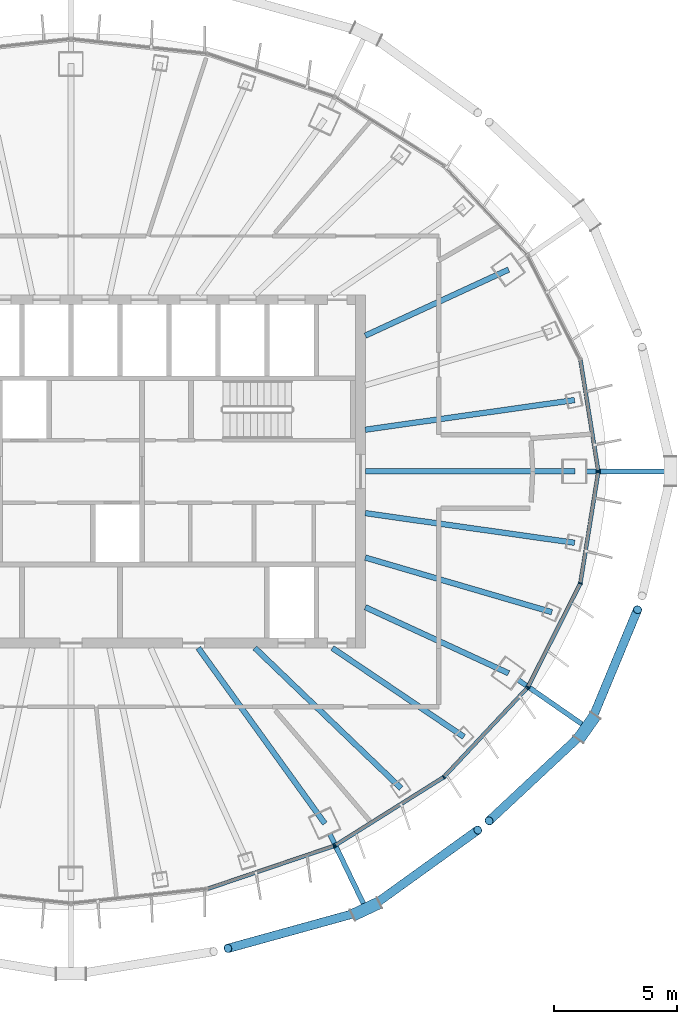
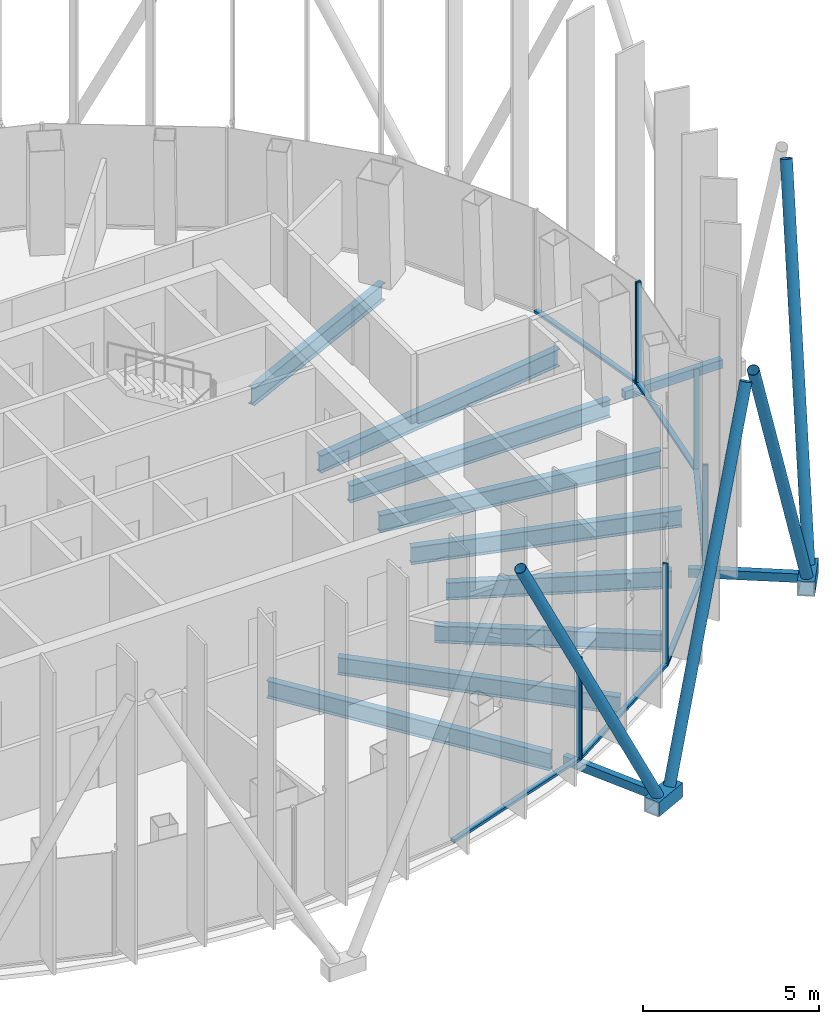
# One storey, part 5 of 20: 23 members, 9 beams, 4 elements without a shape of their own.
"""IFC4 building model written with IfcOpenShell, lengths in metres."""

from ifc_helpers import new_model, si_unit, direction, frame, origin, origin_2d, place, context, subcontext, project, spatial, rectangle, hollow_rectangle, hollow_circle, i_section, extrude, material, layer, layer_set, material_profile, profile_set, type_object, element, aggregate, save


model = new_model("IFC4")

# Units and contexts
model_context = context("Model", 3, precision=1e-05, world=origin(), true_north=direction((0.0, 1.0)))
body_context = subcontext(model_context, "Body", "Model", "MODEL_VIEW")
ifc_project = project(units=[si_unit("LENGTHUNIT", "METRE"), si_unit("AREAUNIT", "SQUARE_METRE"), si_unit("VOLUMEUNIT", "CUBIC_METRE"), si_unit("PLANEANGLEUNIT", "RADIAN"), si_unit("MASSUNIT", "GRAM", prefix="KILO")], contexts=[model_context])

# Site, building, storey
site_placement = place(None, origin())
site = spatial("IfcSite", under=ifc_project, at=site_placement, CompositionType="ELEMENT")
building_placement = place(site_placement, origin())
building = spatial("IfcBuilding", under=site, at=building_placement, Name="Siaravel Broadcast Tower", CompositionType="ELEMENT")
storey_placement = place(building_placement, frame((0.0, 0.0, 228.199951171875)))
storey = spatial("IfcBuildingStorey", under=building, at=storey_placement, Name="L55", CompositionType="ELEMENT", Elevation=228.199951171875)

# Beams
ifc_material_1 = material(Name="Steel S355", Category="steel")
ifc_material_profile_1 = material_profile(ifc_material_1, i_section(OverallWidth=0.2275390625, OverallDepth=0.6025390625, WebThickness=0.010498046875, FlangeThickness=0.014892578125, FilletRadius=0.0126953125, at=origin_2d()))
ifc_profile_set_1 = profile_set([ifc_material_profile_1], Name="Steel S355")
beam_type = type_object("IfcBeamType", Name="BM-UB 610x229x101", PredefinedType="BEAM", material=ifc_profile_set_1)
beam_1_placement = place(storey_placement, frame((20.544189453125, 0.0, -0.451171875), z_axis=(-1.0, 0.0, 0.0), x_axis=(0.0, -1.0, 0.0)))
element("IfcBeam", 1, at=beam_1_placement, inside=storey, type_object=beam_type, Name="Radial beam RB01", PredefinedType="BEAM", context=body_context, shape_type="SweptSolid", body=[
    extrude(i_section(OverallWidth=0.2275390625, OverallDepth=0.6025390625, WebThickness=0.010498046875, FlangeThickness=0.014892578125, FilletRadius=0.0126953125, at=origin_2d()), origin(), (0.0, 0.0, 1.0), 8.544189453125),
])
beam_2_placement = place(storey_placement, frame((20.533203125, 2.91015625, -0.451171875), z_axis=(-0.990104132, -0.140334627, 0.0), x_axis=(0.140334627, -0.990104132, 0.0)))
element("IfcBeam", 2, at=beam_2_placement, inside=storey, type_object=beam_type, Name="Radial beam RB02", PredefinedType="BEAM", context=body_context, shape_type="SweptSolid", body=[
    extrude(i_section(OverallWidth=0.2275390625, OverallDepth=0.6025390625, WebThickness=0.010498046875, FlangeThickness=0.014892578125, FilletRadius=0.0126953125, at=origin_2d()), origin(), (0.0, 0.0, 1.0), 8.618408203125),
])
beam_3_placement = place(storey_placement, frame((17.84521484375, 8.230712890625, -0.451171875), z_axis=(-0.908062594, -0.418834484, 0.0), x_axis=(0.418834484, -0.908062594, 0.0)))
element("IfcBeam", 3, at=beam_3_placement, inside=storey, type_object=beam_type, Name="Radial beam RB04", PredefinedType="BEAM", context=body_context, shape_type="SweptSolid", body=[
    extrude(i_section(OverallWidth=0.2275390625, OverallDepth=0.6025390625, WebThickness=0.010498046875, FlangeThickness=0.014892578125, FilletRadius=0.0126953125, at=origin_2d()), origin(), (0.0, 0.0, 1.0), 6.43701171875),
])
beam_4_placement = place(storey_placement, frame((10.351806640625, -14.359375, -0.451171875), z_axis=(-0.584778294, 0.811193163, 0.0), x_axis=(-0.811193163, -0.584778294, 0.0)))
element("IfcBeam", 4, at=beam_4_placement, inside=storey, type_object=beam_type, Name="Radial beam RB31", PredefinedType="BEAM", context=body_context, shape_type="SweptSolid", body=[
    extrude(i_section(OverallWidth=0.2275390625, OverallDepth=0.6025390625, WebThickness=0.010498046875, FlangeThickness=0.014892578125, FilletRadius=0.0126953125, at=origin_2d()), origin(), (0.0, 0.0, 1.0), 8.82568359375),
])
beam_5_placement = place(storey_placement, frame((13.45947265625, -12.921875, -0.451171875), z_axis=(-0.721365472, 0.692554587, 0.0), x_axis=(-0.692554587, -0.721365472, 0.0)))
element("IfcBeam", 5, at=beam_5_placement, inside=storey, type_object=beam_type, Name="Radial beam RB32", PredefinedType="BEAM", context=body_context, shape_type="SweptSolid", body=[
    extrude(i_section(OverallWidth=0.2275390625, OverallDepth=0.6025390625, WebThickness=0.010498046875, FlangeThickness=0.014892578125, FilletRadius=0.0126953125, at=origin_2d()), origin(), (0.0, 0.0, 1.0), 8.261962890625),
])
beam_6_placement = place(storey_placement, frame((16.021484375, -10.823486328125, -0.451171875), z_axis=(-0.828634362, 0.559790223, 0.0), x_axis=(-0.559790223, -0.828634362, 0.0)))
element("IfcBeam", 6, at=beam_6_placement, inside=storey, type_object=beam_type, Name="Radial beam RB33", PredefinedType="BEAM", context=body_context, shape_type="SweptSolid", body=[
    extrude(i_section(OverallWidth=0.2275390625, OverallDepth=0.6025390625, WebThickness=0.010498046875, FlangeThickness=0.014892578125, FilletRadius=0.0126953125, at=origin_2d()), origin(), (0.0, 0.0, 1.0), 6.47314453125),
])
beam_7_placement = place(storey_placement, frame((17.84521484375, -8.230712890625, -0.451171875), z_axis=(-0.908062594, 0.418834484, 0.0), x_axis=(-0.418834484, -0.908062594, 0.0)))
element("IfcBeam", 7, at=beam_7_placement, inside=storey, type_object=beam_type, Name="Radial beam RB34", PredefinedType="BEAM", context=body_context, shape_type="SweptSolid", body=[
    extrude(i_section(OverallWidth=0.2275390625, OverallDepth=0.6025390625, WebThickness=0.010498046875, FlangeThickness=0.014892578125, FilletRadius=0.0126953125, at=origin_2d()), origin(), (0.0, 0.0, 1.0), 6.43701171875),
])
beam_8_placement = place(storey_placement, frame((19.607666015625, -5.73876953125, -0.451171875), z_axis=(-0.959739837, 0.28089045, 0.0), x_axis=(-0.28089045, -0.959739837, 0.0)))
element("IfcBeam", 8, at=beam_8_placement, inside=storey, type_object=beam_type, Name="Radial beam RB35", PredefinedType="BEAM", context=body_context, shape_type="SweptSolid", body=[
    extrude(i_section(OverallWidth=0.2275390625, OverallDepth=0.6025390625, WebThickness=0.010498046875, FlangeThickness=0.014892578125, FilletRadius=0.0126953125, at=origin_2d()), origin(), (0.0, 0.0, 1.0), 7.9267578125),
])
beam_9_placement = place(storey_placement, frame((20.533203125, -2.91015625, -0.451171875), z_axis=(-0.990104132, 0.140334627, 0.0), x_axis=(-0.140334627, -0.990104132, 0.0)))
element("IfcBeam", 9, at=beam_9_placement, inside=storey, type_object=beam_type, Name="Radial beam RB36", PredefinedType="BEAM", context=body_context, shape_type="SweptSolid", body=[
    extrude(i_section(OverallWidth=0.2275390625, OverallDepth=0.6025390625, WebThickness=0.010498046875, FlangeThickness=0.014892578125, FilletRadius=0.0126953125, at=origin_2d()), origin(), (0.0, 0.0, 1.0), 8.618408203125),
])

# Curtain wall, member
ifc_material_2 = material(Name="Aluminium 6063-T6", Category="aluminium")
ifc_layer = layer(ifc_material_2, 0.159912109375)
ifc_layer_set = layer_set([ifc_layer], Name="Aluminium 6063-T6")
curtain_wall_type = type_object("IfcCurtainWallType", Name="Unitised curtain wall, zone 4", PredefinedType="NOTDEFINED", material=ifc_layer_set)
curtain_wall_1_placement = place(storey_placement, origin())
curtain_wall_1 = element("IfcCurtainWall", 10, at=curtain_wall_1_placement, inside=storey, type_object=curtain_wall_type, Name="L55 Unitised curtain wall, zone 4 01", PredefinedType="NOTDEFINED")
ifc_material_profile_2 = material_profile(ifc_material_2, rectangle(XDim=0.159912109375, YDim=0.054931640625, at=origin_2d()))
ifc_profile_set_2 = profile_set([ifc_material_profile_2], Name="Aluminium 6063-T6")
member_type_1 = type_object("IfcMemberType", Name="CW-Z4 mullion", PredefinedType="MULLION", material=ifc_profile_set_2)
member_1_placement = place(storey_placement, frame((21.49755859375, 0.027099609375, 0.0), z_axis=(0.0, 0.0, 1.0), x_axis=(-0.987329287, -0.158684841, 0.0)))
member_1 = element("IfcMember", 11, at=member_1_placement, type_object=member_type_1, Name="CW-Z4 mullion 1", PredefinedType="MULLION", context=body_context, shape_type="SweptSolid", body=[
    extrude(rectangle(XDim=0.159912109375, YDim=0.054931640625, at=origin_2d()), origin(), (0.0, 0.0, 1.0), 3.550048828125),
])

curtain_wall_2_placement = place(storey_placement, origin())
curtain_wall_2 = element("IfcCurtainWall", 12, at=curtain_wall_2_placement, inside=storey, type_object=curtain_wall_type, Name="L55 Unitised curtain wall, zone 4 10", PredefinedType="NOTDEFINED")
member_2_placement = place(storey_placement, frame((10.72119140625, -15.271484375, 0.0), z_axis=(0.0, 0.0, 1.0), x_axis=(-0.321301352, 0.946977002, 0.0)))
member_2 = element("IfcMember", 13, at=member_2_placement, type_object=member_type_1, Name="CW-Z4 mullion 3", PredefinedType="MULLION", context=body_context, shape_type="SweptSolid", body=[
    extrude(rectangle(XDim=0.159912109375, YDim=0.054931640625, at=origin_2d()), origin(), (0.0, 0.0, 1.0), 3.550048828125),
])

# Curtain wall, members
curtain_wall_3_placement = place(storey_placement, origin())
curtain_wall_3 = element("IfcCurtainWall", 14, at=curtain_wall_3_placement, inside=storey, type_object=curtain_wall_type, Name="L55 Unitised curtain wall, zone 4 11", PredefinedType="NOTDEFINED")
member_3_placement = place(storey_placement, frame((10.770751953125, -15.248046875, 0.0), z_axis=(0.0, 0.0, 1.0), x_axis=(-0.532150293, 0.846649907, 0.0)))
member_3 = element("IfcMember", 15, at=member_3_placement, type_object=member_type_1, Name="CW-Z4 mullion 1", PredefinedType="MULLION", context=body_context, shape_type="SweptSolid", body=[
    extrude(rectangle(XDim=0.159912109375, YDim=0.054931640625, at=origin_2d()), origin(), (0.0, 0.0, 1.0), 3.550048828125),
])
member_4_placement = place(storey_placement, frame((15.200439453125, -12.463623046875, 0.0), z_axis=(0.0, 0.0, 1.0), x_axis=(-0.636219746, 0.771507897, 0.0)))
member_4 = element("IfcMember", 16, at=member_4_placement, type_object=member_type_1, Name="CW-Z4 mullion 2", PredefinedType="MULLION", context=body_context, shape_type="SweptSolid", body=[
    extrude(rectangle(XDim=0.159912109375, YDim=0.054931640625, at=origin_2d()), origin(), (0.0, 0.0, 1.0), 3.550048828125),
])
member_5_placement = place(storey_placement, frame((18.60009765625, -8.834716796875, 0.0), z_axis=(0.0, 0.0, 1.0), x_axis=(-0.72980635, 0.683653927, 0.0)))
member_5 = element("IfcMember", 17, at=member_5_placement, type_object=member_type_1, Name="CW-Z4 mullion 3", PredefinedType="MULLION", context=body_context, shape_type="SweptSolid", body=[
    extrude(rectangle(XDim=0.159912109375, YDim=0.054931640625, at=origin_2d()), origin(), (0.0, 0.0, 1.0), 3.550048828125),
])

curtain_wall_4_placement = place(storey_placement, origin())
curtain_wall_4 = element("IfcCurtainWall", 18, at=curtain_wall_4_placement, inside=storey, type_object=curtain_wall_type, Name="L55 Unitised curtain wall, zone 4 12", PredefinedType="NOTDEFINED")
member_6_placement = place(storey_placement, frame((18.63134765625, -8.7900390625, 0.0), z_axis=(0.0, 0.0, 1.0), x_axis=(-0.89239278, 0.451259489, 0.0)))
member_6 = element("IfcMember", 19, at=member_6_placement, type_object=member_type_1, Name="CW-Z4 mullion 1", PredefinedType="MULLION", context=body_context, shape_type="SweptSolid", body=[
    extrude(rectangle(XDim=0.159912109375, YDim=0.054931640625, at=origin_2d()), origin(), (0.0, 0.0, 1.0), 3.550048828125),
])
member_7_placement = place(storey_placement, frame((20.7685546875, -4.5634765625, 0.0), z_axis=(0.0, 0.0, 1.0), x_axis=(-0.951177556, 0.308644223, 0.0)))
member_7 = element("IfcMember", 20, at=member_7_placement, type_object=member_type_1, Name="CW-Z4 mullion 2", PredefinedType="MULLION", context=body_context, shape_type="SweptSolid", body=[
    extrude(rectangle(XDim=0.159912109375, YDim=0.054931640625, at=origin_2d()), origin(), (0.0, 0.0, 1.0), 3.550048828125),
])
member_8_placement = place(storey_placement, frame((21.49755859375, -0.027099609375, 0.0), z_axis=(0.0, 0.0, 1.0), x_axis=(-0.987329287, 0.158684841, 0.0)))
member_8 = element("IfcMember", 21, at=member_8_placement, type_object=member_type_1, Name="CW-Z4 mullion 3", PredefinedType="MULLION", context=body_context, shape_type="SweptSolid", body=[
    extrude(rectangle(XDim=0.159912109375, YDim=0.054931640625, at=origin_2d()), origin(), (0.0, 0.0, 1.0), 3.550048828125),
])

# Member
ifc_material_profile_3 = material_profile(ifc_material_2, rectangle(XDim=0.159912109375, YDim=0.090087890625, at=origin_2d()))
ifc_profile_set_3 = profile_set([ifc_material_profile_3], Name="Aluminium 6063-T6")
member_type_2 = type_object("IfcMemberType", Name="CW-Z4 transom", PredefinedType="USERDEFINED", material=ifc_profile_set_3)
member_9_placement = place(storey_placement, frame((21.493408203125, 0.05419921875, 0.045166015625), z_axis=(-0.158701499, 0.98732661, 0.0), x_axis=(-0.98732661, -0.158701499, 0.0)))
member_9 = element("IfcMember", 22, at=member_9_placement, type_object=member_type_2, Name="CW-Z4 transom 1", ObjectType="TRANSOM", PredefinedType="USERDEFINED", context=body_context, shape_type="SweptSolid", body=[
    extrude(rectangle(XDim=0.159912109375, YDim=0.090087890625, at=origin_2d()), origin(), (0.0, 0.0, 1.0), 4.539794921875),
])

aggregate(curtain_wall_1, [member_1, member_9])

member_10_placement = place(storey_placement, frame((5.5888671875, -17.012939453125, 0.045166015625), z_axis=(0.946971812, 0.321316645, 0.0), x_axis=(-0.321316645, 0.946971812, 0.0)))
member_10 = element("IfcMember", 23, at=member_10_placement, type_object=member_type_2, Name="CW-Z4 transom 2", ObjectType="TRANSOM", PredefinedType="USERDEFINED", context=body_context, shape_type="SweptSolid", body=[
    extrude(rectangle(XDim=0.159912109375, YDim=0.090087890625, at=origin_2d()), origin(), (0.0, 0.0, 1.0), 5.392333984375),
])

aggregate(curtain_wall_2, [member_2, member_10])

member_11_placement = place(storey_placement, frame((10.7939453125, -15.2333984375, 0.045166015625), z_axis=(0.846644441, 0.53215899, 0.0), x_axis=(-0.53215899, 0.846644441, 0.0)))
member_11 = element("IfcMember", 24, at=member_11_placement, type_object=member_type_2, Name="CW-Z4 transom 1", ObjectType="TRANSOM", PredefinedType="USERDEFINED", context=body_context, shape_type="SweptSolid", body=[
    extrude(rectangle(XDim=0.159912109375, YDim=0.090087890625, at=origin_2d()), origin(), (0.0, 0.0, 1.0), 5.17724609375),
])

member_12_placement = place(storey_placement, frame((15.21923828125, -12.443603515625, 0.045166015625), z_axis=(0.68367025, 0.729791059, 0.0), x_axis=(-0.729791059, 0.68367025, 0.0)))
member_12 = element("IfcMember", 25, at=member_12_placement, type_object=member_type_2, Name="CW-Z4 transom 2", ObjectType="TRANSOM", PredefinedType="USERDEFINED", context=body_context, shape_type="SweptSolid", body=[
    extrude(rectangle(XDim=0.159912109375, YDim=0.090087890625, at=origin_2d()), origin(), (0.0, 0.0, 1.0), 4.917724609375),
])

aggregate(curtain_wall_3, [member_3, member_4, member_5, member_11, member_12])

member_13_placement = place(storey_placement, frame((18.643798828125, -8.765380859375, 0.045166015625), z_axis=(0.451235344, 0.892404989, 0.0), x_axis=(-0.892404989, 0.451235344, 0.0)))
member_13 = element("IfcMember", 26, at=member_13_placement, type_object=member_type_2, Name="CW-Z4 transom 1", ObjectType="TRANSOM", PredefinedType="USERDEFINED", context=body_context, shape_type="SweptSolid", body=[
    extrude(rectangle(XDim=0.159912109375, YDim=0.090087890625, at=origin_2d()), origin(), (0.0, 0.0, 1.0), 4.68115234375),
])

member_14_placement = place(storey_placement, frame((20.77294921875, -4.536376953125, 0.045166015625), z_axis=(0.158701499, 0.98732661, 0.0), x_axis=(-0.98732661, 0.158701499, 0.0)))
member_14 = element("IfcMember", 27, at=member_14_placement, type_object=member_type_2, Name="CW-Z4 transom 2", ObjectType="TRANSOM", PredefinedType="USERDEFINED", context=body_context, shape_type="SweptSolid", body=[
    extrude(rectangle(XDim=0.159912109375, YDim=0.090087890625, at=origin_2d()), origin(), (0.0, 0.0, 1.0), 4.539794921875),
])

aggregate(curtain_wall_4, [member_6, member_7, member_8, member_13, member_14])

# Members
ifc_material_3 = material(Name="Steel S460", Category="steel")
ifc_material_profile_4 = material_profile(ifc_material_3, hollow_circle(Radius=0.177734375, WallThickness=0.012451171875, at=origin_2d()))
ifc_profile_set_4 = profile_set([ifc_material_profile_4], Name="Steel S460")
member_type_3 = type_object("IfcMemberType", Name="Diagrid diagonal CHS 355.6x12.5", PredefinedType="BRACE", material=ifc_profile_set_4)
member_15_placement = place(storey_placement, frame((11.762451171875, -17.966796875, 0.02001953125), z_axis=(-0.446084084, -0.123255802, 0.886463196), x_axis=(0.266326799, -0.963882792, 0.0)))
element("IfcMember", 28, at=member_15_placement, inside=storey, type_object=member_type_3, Name="Diagrid diagonal R23 station 60C", PredefinedType="BRACE", context=body_context, shape_type="SweptSolid", body=[
    extrude(hollow_circle(Radius=0.177734375, WallThickness=0.012451171875, at=origin_2d()), origin(), (0.0, 0.0, 1.0), 12.025146484375),
])
member_16_placement = place(storey_placement, frame((12.296875, -17.714111328125, 0.02001953125), z_axis=(0.360588642, 0.259705891, 0.895839652), x_axis=(-0.584426349, 0.811446759, 0.0)))
element("IfcMember", 29, at=member_16_placement, inside=storey, type_object=member_type_3, Name="Diagrid diagonal R23 station 60A", PredefinedType="BRACE", context=body_context, shape_type="SweptSolid", body=[
    extrude(hollow_circle(Radius=0.177734375, WallThickness=0.012451171875, at=origin_2d()), origin(), (0.0, 0.0, 1.0), 11.8994140625),
])
member_17_placement = place(storey_placement, frame((20.865478515625, -10.6826171875, 0.02001953125), z_axis=(-0.321787959, -0.300401234, 0.897892871), x_axis=(0.682398137, -0.730980699, 0.0)))
element("IfcMember", 30, at=member_17_placement, inside=storey, type_object=member_type_3, Name="Diagrid diagonal R23 station 66C", PredefinedType="BRACE", context=body_context, shape_type="SweptSolid", body=[
    extrude(hollow_circle(Radius=0.177734375, WallThickness=0.012451171875, at=origin_2d()), origin(), (0.0, 0.0, 1.0), 11.8720703125),
])
member_18_placement = place(storey_placement, frame((21.206298828125, -10.199462890625, 0.02001953125), z_axis=(0.161211025, 0.388315343, 0.907315932), x_axis=(-0.923571851, 0.383425398, 0.0)))
element("IfcMember", 31, at=member_18_placement, inside=storey, type_object=member_type_3, Name="Diagrid diagonal R23 station 66A", PredefinedType="BRACE", context=body_context, shape_type="SweptSolid", body=[
    extrude(hollow_circle(Radius=0.177734375, WallThickness=0.012451171875, at=origin_2d()), origin(), (0.0, 0.0, 1.0), 11.748779296875),
])
ifc_material_profile_5 = material_profile(ifc_material_3, hollow_rectangle(XDim=0.5, YDim=0.5, WallThickness=0.031982421875, at=origin_2d()))
ifc_profile_set_5 = profile_set([ifc_material_profile_5], Name="Steel S460")
member_type_4 = type_object("IfcMemberType", Name="Diagrid node BOX 500x500x32", PredefinedType="USERDEFINED", material=ifc_profile_set_5)
for number, where, z_axis, x_axis, name in (
    (32, (11.4931640625, -18.093994140625, -0.199951171875), (0.904005771, 0.427520253, 0.0), (-0.427520253, 0.904005771, 0.0), "Diagrid node R23 station 60"),
    (33, (20.694091796875, -10.926025390625, -0.199951171875), (0.576069144, 0.817400967, 0.0), (-0.817400967, 0.576069144, 0.0), "Diagrid node R23 station 66"),
):
    element("IfcMember", number, at=place(storey_placement, frame(where, z_axis=z_axis, x_axis=x_axis)), inside=storey, type_object=member_type_4, Name=name, ObjectType="DIAGRID NODE", PredefinedType="USERDEFINED", context=body_context, shape_type="SweptSolid", body=[
        extrude(hollow_rectangle(XDim=0.5, YDim=0.5, WallThickness=0.031982421875, at=origin_2d()), origin(), (0.0, 0.0, 1.0), 1.186767578125),
    ])
ifc_material_profile_6 = material_profile(ifc_material_3, hollow_rectangle(XDim=0.199951171875, YDim=0.300048828125, WallThickness=0.012451171875, at=origin_2d()))
ifc_profile_set_6 = profile_set([ifc_material_profile_6], Name="Steel S460")
member_type_5 = type_object("IfcMemberType", Name="Diagrid node arm RHS 300x200x12.5", PredefinedType="STRUT", material=ifc_profile_set_6)
member_19_placement = place(storey_placement, frame((21.01416015625, 0.0, -0.199951171875), z_axis=(1.0, 0.0, 0.0), x_axis=(0.0, 1.0, 0.0)))
element("IfcMember", 34, at=member_19_placement, inside=storey, type_object=member_type_5, Name="Node arm R23 station 00", PredefinedType="STRUT", context=body_context, shape_type="SweptSolid", body=[
    extrude(hollow_rectangle(XDim=0.199951171875, YDim=0.300048828125, WallThickness=0.012451171875, at=origin_2d()), origin(), (0.0, 0.0, 1.0), 3.2021484375),
])
member_20_placement = place(storey_placement, frame((10.555908203125, -14.78271484375, -0.199951171875), z_axis=(0.434183283, -0.900824554, 0.0), x_axis=(0.900824554, 0.434183283, 0.0)))
element("IfcMember", 35, at=member_20_placement, inside=storey, type_object=member_type_5, Name="Node arm R23 station 60", PredefinedType="STRUT", context=body_context, shape_type="SweptSolid", body=[
    extrude(hollow_rectangle(XDim=0.199951171875, YDim=0.300048828125, WallThickness=0.012451171875, at=origin_2d()), origin(), (0.0, 0.0, 1.0), 3.174072265625),
])
member_21_placement = place(storey_placement, frame((18.2314453125, -8.498291015625, -0.199951171875), z_axis=(0.821996626, -0.569492358, 0.0), x_axis=(0.569492358, 0.821996626, 0.0)))
element("IfcMember", 36, at=member_21_placement, inside=storey, type_object=member_type_5, Name="Node arm R23 station 66", PredefinedType="STRUT", context=body_context, shape_type="SweptSolid", body=[
    extrude(hollow_rectangle(XDim=0.199951171875, YDim=0.300048828125, WallThickness=0.012451171875, at=origin_2d()), origin(), (0.0, 0.0, 1.0), 3.191650390625),
])

save(model, "model.ifc")
